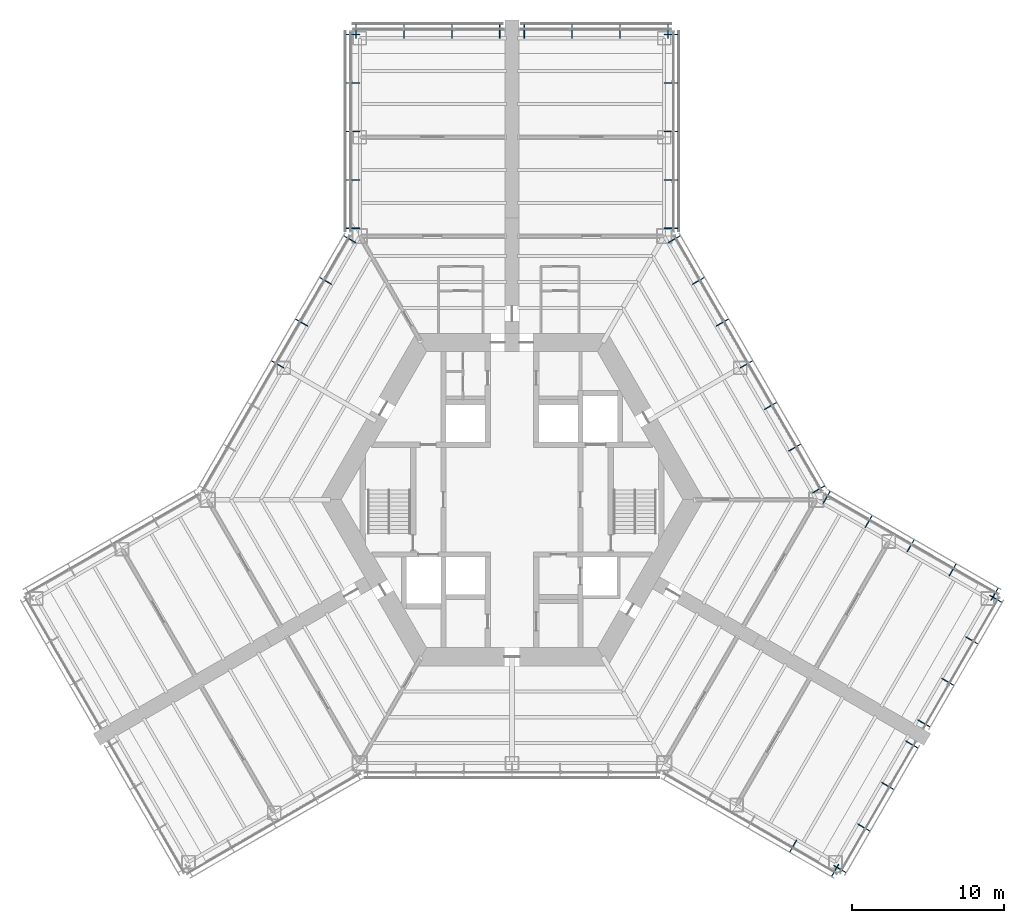
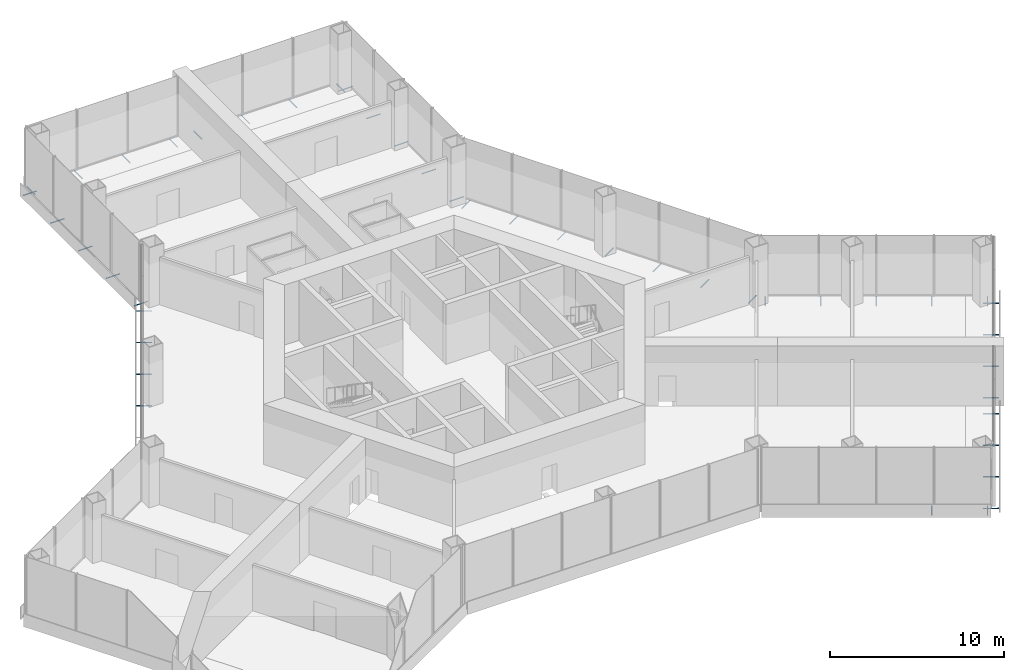
# One storey, part 14 of 15: 44 discrete accessories.
"""IFC4 building model written with IfcOpenShell, lengths in metres."""

from ifc_helpers import new_model, si_unit, direction, frame, origin, origin_2d, place, context, subcontext, project, spatial, hollow_circle, extrude, material, material_profile, profile_set, type_object, element, save


model = new_model("IFC4")

# Units and contexts
model_context = context("Model", 3, precision=1e-05, world=origin(), true_north=direction((0.0, 1.0)))
body_context = subcontext(model_context, "Body", "Model", "MODEL_VIEW")
ifc_project = project(units=[si_unit("LENGTHUNIT", "METRE"), si_unit("AREAUNIT", "SQUARE_METRE"), si_unit("VOLUMEUNIT", "CUBIC_METRE"), si_unit("PLANEANGLEUNIT", "RADIAN"), si_unit("MASSUNIT", "GRAM", prefix="KILO")], contexts=[model_context])

# Site, building, storey
site_placement = place(None, origin())
site = spatial("IfcSite", under=ifc_project, at=site_placement, CompositionType="ELEMENT")
building_placement = place(site_placement, origin())
building = spatial("IfcBuilding", under=site, at=building_placement, Name="Kasaneha Research Tower", CompositionType="ELEMENT")
storey_placement = place(building_placement, frame((0.0, 0.0, 31.0)))
storey = spatial("IfcBuildingStorey", under=building, at=storey_placement, Name="L08", CompositionType="ELEMENT", Elevation=31.0)

# Discrete accessories
ifc_material = material(Name="Steel STK400", Category="steel")
ifc_material_profile = material_profile(ifc_material, hollow_circle(Radius=0.0380859375, WallThickness=0.00390625, at=origin_2d()), Name="CHS-76.3x4.0")
ifc_profile_set = profile_set([ifc_material_profile], Name="Steel STK400")
discrete_accessory_type = type_object("IfcDiscreteAccessoryType", Name="Screen bracket CHS-76.3x4.0", PredefinedType="BRACKET", material=ifc_profile_set)
discrete_accessory_1_placement = place(storey_placement, frame((18.716796875, -22.35302734375, -0.320068359375), z_axis=(-0.500105201737, -0.865964657013, 0.0), x_axis=(0.865964657013, -0.500105201737, 0.0)))
element("IfcDiscreteAccessory", 1, at=discrete_accessory_1_placement, inside=storey, type_object=discrete_accessory_type, Name="Screen bracket 4", PredefinedType="BRACKET", context=body_context, shape_type="SweptSolid", body=[
    extrude(hollow_circle(Radius=0.0380859375, WallThickness=0.00390625, at=origin_2d()), origin(), (0.0, 0.0, 1.0), 0.920166015625),
])
discrete_accessory_2_placement = place(storey_placement, frame((21.474853515625, -23.945556640625, -0.320068359375), z_axis=(-0.500021113727, -0.866013213425, 0.0), x_axis=(0.866013213425, -0.500021113727, 0.0)))
element("IfcDiscreteAccessory", 2, at=discrete_accessory_2_placement, inside=storey, type_object=discrete_accessory_type, Name="Screen bracket 5", PredefinedType="BRACKET", context=body_context, shape_type="SweptSolid", body=[
    extrude(hollow_circle(Radius=0.0380859375, WallThickness=0.00390625, at=origin_2d()), origin(), (0.0, 0.0, 1.0), 0.919921875),
])
for number, where, z_axis, x_axis, name in (
    (3, (21.13330078125, -24.037109375, -0.320068359375), (0.866079547155, -0.499906209203, 0.0), (0.499906209203, 0.866079547155, 0.0), "Screen bracket 1"),
    (4, (22.708251953125, -21.30908203125, -0.320068359375), (0.866079547155, -0.499906209203, 0.0), (0.499906209203, 0.866079547155, 0.0), "Screen bracket 2"),
):
    element("IfcDiscreteAccessory", number, at=place(storey_placement, frame(where, z_axis=z_axis, x_axis=x_axis)), inside=storey, type_object=discrete_accessory_type, Name=name, PredefinedType="BRACKET", context=body_context, shape_type="SweptSolid", body=[
        extrude(hollow_circle(Radius=0.0380859375, WallThickness=0.00390625, at=origin_2d()), origin(), (0.0, 0.0, 1.0), 0.920166015625),
    ])
for number, where, z_axis, x_axis, name in (
    (5, (24.283447265625, -18.5810546875, -0.320068359375), (0.866013213425, -0.500021113727, 0.0), (0.500021113727, 0.866013213425, 0.0), "Screen bracket 3"),
    (6, (25.8583984375, -15.85302734375, -0.320068359375), (0.866013213425, -0.500021113727, 0.0), (0.500021113727, 0.866013213425, 0.0), "Screen bracket 4"),
    (7, (26.658447265625, -14.467529296875, -0.320068359375), (0.866013213425, -0.500021113727, 0.0), (0.500021113727, 0.866013213425, 0.0), "Screen bracket 1"),
    (8, (28.2333984375, -11.739501953125, -0.320068359375), (0.866013213425, -0.500021113727, 0.0), (0.500021113727, 0.866013213425, 0.0), "Screen bracket 2"),
    (9, (29.808349609375, -9.011474609375, -0.320068359375), (0.866013213425, -0.500021113727, 0.0), (0.500021113727, 0.866013213425, 0.0), "Screen bracket 3"),
):
    element("IfcDiscreteAccessory", number, at=place(storey_placement, frame(where, z_axis=z_axis, x_axis=x_axis)), inside=storey, type_object=discrete_accessory_type, Name=name, PredefinedType="BRACKET", context=body_context, shape_type="SweptSolid", body=[
        extrude(hollow_circle(Radius=0.0380859375, WallThickness=0.00390625, at=origin_2d()), origin(), (0.0, 0.0, 1.0), 0.919921875),
    ])
discrete_accessory_3_placement = place(storey_placement, frame((31.38330078125, -6.283447265625, -0.320068359375), z_axis=(0.866079547155, -0.499906209203, 0.0), x_axis=(0.499906209203, 0.866079547155, 0.0)))
element("IfcDiscreteAccessory", 10, at=discrete_accessory_3_placement, inside=storey, type_object=discrete_accessory_type, Name="Screen bracket 4", PredefinedType="BRACKET", context=body_context, shape_type="SweptSolid", body=[
    extrude(hollow_circle(Radius=0.0380859375, WallThickness=0.00390625, at=origin_2d()), origin(), (0.0, 0.0, 1.0), 0.920166015625),
])
discrete_accessory_4_placement = place(storey_placement, frame((31.474853515625, -6.625, -0.320068359375), z_axis=(0.500021113727, 0.866013213425, 0.0), x_axis=(-0.866013213425, 0.500021113727, 0.0)))
element("IfcDiscreteAccessory", 11, at=discrete_accessory_4_placement, inside=storey, type_object=discrete_accessory_type, Name="Screen bracket 1", PredefinedType="BRACKET", context=body_context, shape_type="SweptSolid", body=[
    extrude(hollow_circle(Radius=0.0380859375, WallThickness=0.00390625, at=origin_2d()), origin(), (0.0, 0.0, 1.0), 0.919921875),
])
discrete_accessory_5_placement = place(storey_placement, frame((28.716796875, -5.03271484375, -0.320068359375), z_axis=(0.499906209203, 0.866079547155, 0.0), x_axis=(-0.866079547155, 0.499906209203, 0.0)))
element("IfcDiscreteAccessory", 12, at=discrete_accessory_5_placement, inside=storey, type_object=discrete_accessory_type, Name="Screen bracket 2", PredefinedType="BRACKET", context=body_context, shape_type="SweptSolid", body=[
    extrude(hollow_circle(Radius=0.0380859375, WallThickness=0.00390625, at=origin_2d()), origin(), (0.0, 0.0, 1.0), 0.920166015625),
])
discrete_accessory_6_placement = place(storey_placement, frame((25.95849609375, -3.440185546875, -0.320068359375), z_axis=(0.500220121494, 0.865898279276, 0.0), x_axis=(-0.865898279276, 0.500220121494, 0.0)))
element("IfcDiscreteAccessory", 13, at=discrete_accessory_6_placement, inside=storey, type_object=discrete_accessory_type, Name="Screen bracket 3", PredefinedType="BRACKET", context=body_context, shape_type="SweptSolid", body=[
    extrude(hollow_circle(Radius=0.0380859375, WallThickness=0.00390625, at=origin_2d()), origin(), (0.0, 0.0, 1.0), 0.919921875),
])
discrete_accessory_7_placement = place(storey_placement, frame((23.200439453125, -1.847900390625, -0.320068359375), z_axis=(0.499906209203, 0.866079547155, 0.0), x_axis=(-0.866079547155, 0.499906209203, 0.0)))
element("IfcDiscreteAccessory", 14, at=discrete_accessory_7_placement, inside=storey, type_object=discrete_accessory_type, Name="Screen bracket 4", PredefinedType="BRACKET", context=body_context, shape_type="SweptSolid", body=[
    extrude(hollow_circle(Radius=0.0380859375, WallThickness=0.00390625, at=origin_2d()), origin(), (0.0, 0.0, 1.0), 0.920166015625),
])
for number, where, z_axis, x_axis, name in (
    (15, (20.4423828125, -0.25537109375, -0.320068359375), (0.500021113727, 0.866013213425, 0.0), (-0.866013213425, 0.500021113727, 0.0), "Screen bracket 5"),
    (16, (19.74462890625, 0.4423828125, -0.320068359375), (0.866013213425, 0.500021113727, 0.0), (-0.500021113727, 0.866013213425, 0.0), "Screen bracket 1"),
    (17, (18.1630859375, 3.181640625, -0.320068359375), (0.866013213425, 0.500021113727, 0.0), (-0.500021113727, 0.866013213425, 0.0), "Screen bracket 2"),
    (18, (16.58154296875, 5.9208984375, -0.320068359375), (0.866013213425, 0.500021113727, 0.0), (-0.500021113727, 0.866013213425, 0.0), "Screen bracket 3"),
    (19, (15.0, 8.66015625, -0.320068359375), (0.865898279276, 0.500220121494, 0.0), (-0.500220121494, 0.865898279276, 0.0), "Screen bracket 4"),
    (20, (13.41845703125, 11.399658203125, -0.320068359375), (0.866013213425, 0.500021113727, 0.0), (-0.500021113727, 0.866013213425, 0.0), "Screen bracket 5"),
    (21, (11.8369140625, 14.138916015625, -0.320068359375), (0.866013213425, 0.500021113727, 0.0), (-0.500021113727, 0.866013213425, 0.0), "Screen bracket 6"),
):
    element("IfcDiscreteAccessory", number, at=place(storey_placement, frame(where, z_axis=z_axis, x_axis=x_axis)), inside=storey, type_object=discrete_accessory_type, Name=name, PredefinedType="BRACKET", context=body_context, shape_type="SweptSolid", body=[
        extrude(hollow_circle(Radius=0.0380859375, WallThickness=0.00390625, at=origin_2d()), origin(), (0.0, 0.0, 1.0), 0.919921875),
    ])
discrete_accessory_8_placement = place(storey_placement, frame((10.25537109375, 16.878173828125, -0.320068359375), z_axis=(0.866079547155, 0.499906209203, 0.0), x_axis=(-0.499906209203, 0.866079547155, 0.0)))
element("IfcDiscreteAccessory", 22, at=discrete_accessory_8_placement, inside=storey, type_object=discrete_accessory_type, Name="Screen bracket 7", PredefinedType="BRACKET", context=body_context, shape_type="SweptSolid", body=[
    extrude(hollow_circle(Radius=0.0380859375, WallThickness=0.00390625, at=origin_2d()), origin(), (0.0, 0.0, 1.0), 0.920166015625),
])
for number, where, z_axis, x_axis, name in (
    (23, (10.0, 17.831298828125, -0.320068359375), (1.0, 0.0, 0.0), (0.0, 1.0, 0.0), "Screen bracket 1"),
    (24, (10.0, 21.01611328125, -0.320068359375), (1.0, 0.0, 0.0), (0.0, 1.0, 0.0), "Screen bracket 2"),
    (25, (10.0, 24.200927734375, -0.320068359375), (1.0, 0.0, 0.0), (0.0, 1.0, 0.0), "Screen bracket 3"),
    (26, (10.0, 27.3857421875, -0.320068359375), (1.0, 0.0, 0.0), (0.0, 1.0, 0.0), "Screen bracket 4"),
    (27, (10.0, 30.570556640625, -0.320068359375), (1.0, 0.0, 0.0), (0.0, 1.0, 0.0), "Screen bracket 5"),
    (28, (10.25, 30.320556640625, -0.320068359375), (0.0, 1.0, 0.0), (-1.0, 0.0, 0.0), "Screen bracket 1"),
    (29, (7.10009765625, 30.320556640625, -0.320068359375), (0.0, 1.0, 0.0), (-1.0, 0.0, 0.0), "Screen bracket 2"),
    (30, (3.949951171875, 30.320556640625, -0.320068359375), (0.0, 1.0, 0.0), (-1.0, 0.0, 0.0), "Screen bracket 3"),
    (31, (0.800048828125, 30.320556640625, -0.320068359375), (0.0, 1.0, 0.0), (-1.0, 0.0, 0.0), "Screen bracket 4"),
    (32, (-0.800048828125, 30.320556640625, -0.320068359375), (0.0, 1.0, 0.0), (-1.0, 0.0, 0.0), "Screen bracket 1"),
    (33, (-3.949951171875, 30.320556640625, -0.320068359375), (0.0, 1.0, 0.0), (-1.0, 0.0, 0.0), "Screen bracket 2"),
    (34, (-7.10009765625, 30.320556640625, -0.320068359375), (0.0, 1.0, 0.0), (-1.0, 0.0, 0.0), "Screen bracket 3"),
    (35, (-10.25, 30.320556640625, -0.320068359375), (0.0, 1.0, 0.0), (-1.0, 0.0, 0.0), "Screen bracket 4"),
    (36, (-10.0, 30.570556640625, -0.320068359375), (-1.0, 0.0, 0.0), (0.0, -1.0, 0.0), "Screen bracket 1"),
    (37, (-10.0, 27.3857421875, -0.320068359375), (-1.0, 0.0, 0.0), (0.0, -1.0, 0.0), "Screen bracket 2"),
    (38, (-10.0, 24.200927734375, -0.320068359375), (-1.0, 0.0, 0.0), (0.0, -1.0, 0.0), "Screen bracket 3"),
    (39, (-10.0, 21.01611328125, -0.320068359375), (-1.0, 0.0, 0.0), (0.0, -1.0, 0.0), "Screen bracket 4"),
    (40, (-10.0, 17.831298828125, -0.320068359375), (-1.0, 0.0, 0.0), (0.0, -1.0, 0.0), "Screen bracket 5"),
):
    element("IfcDiscreteAccessory", number, at=place(storey_placement, frame(where, z_axis=z_axis, x_axis=x_axis)), inside=storey, type_object=discrete_accessory_type, Name=name, PredefinedType="BRACKET", context=body_context, shape_type="SweptSolid", body=[
        extrude(hollow_circle(Radius=0.0380859375, WallThickness=0.00390625, at=origin_2d()), origin(), (0.0, 0.0, 1.0), 0.919921875),
    ])
discrete_accessory_9_placement = place(storey_placement, frame((-10.25537109375, 16.878173828125, -0.320068359375), z_axis=(-0.866079547155, 0.499906209203, 0.0), x_axis=(-0.499906209203, -0.866079547155, 0.0)))
element("IfcDiscreteAccessory", 41, at=discrete_accessory_9_placement, inside=storey, type_object=discrete_accessory_type, Name="Screen bracket 1", PredefinedType="BRACKET", context=body_context, shape_type="SweptSolid", body=[
    extrude(hollow_circle(Radius=0.0380859375, WallThickness=0.00390625, at=origin_2d()), origin(), (0.0, 0.0, 1.0), 0.920166015625),
])
for number, where, z_axis, x_axis, name in (
    (42, (-11.8369140625, 14.138916015625, -0.320068359375), (-0.866013213425, 0.500021113727, 0.0), (-0.500021113727, -0.866013213425, 0.0), "Screen bracket 2"),
    (43, (-13.41845703125, 11.399658203125, -0.320068359375), (-0.866013213425, 0.500021113727, 0.0), (-0.500021113727, -0.866013213425, 0.0), "Screen bracket 3"),
    (44, (-15.0, 8.66015625, -0.320068359375), (-0.865898279276, 0.500220121494, 0.0), (-0.500220121494, -0.865898279276, 0.0), "Screen bracket 4"),
):
    element("IfcDiscreteAccessory", number, at=place(storey_placement, frame(where, z_axis=z_axis, x_axis=x_axis)), inside=storey, type_object=discrete_accessory_type, Name=name, PredefinedType="BRACKET", context=body_context, shape_type="SweptSolid", body=[
        extrude(hollow_circle(Radius=0.0380859375, WallThickness=0.00390625, at=origin_2d()), origin(), (0.0, 0.0, 1.0), 0.919921875),
    ])

save(model, "model.ifc")
